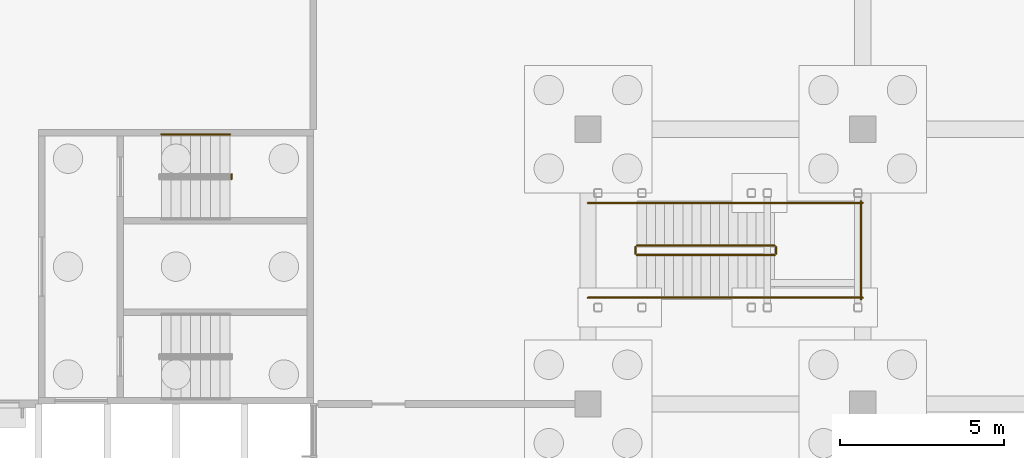
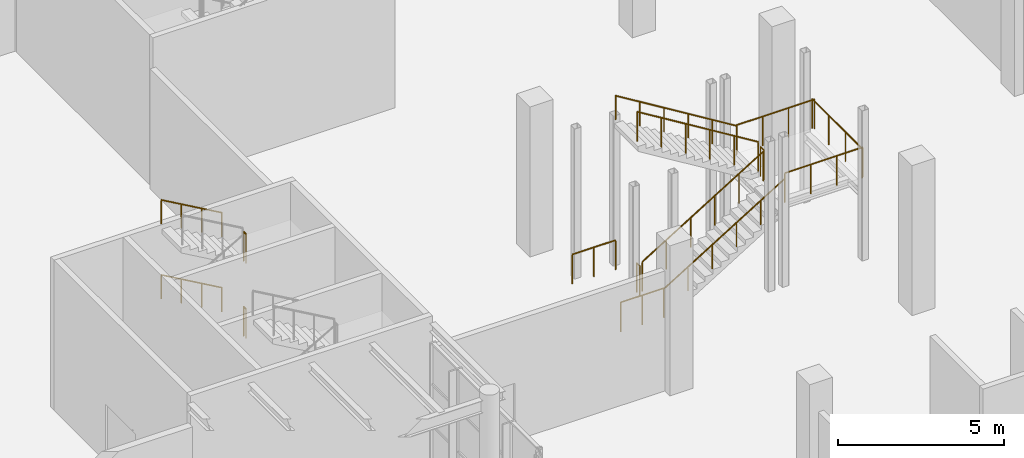
# One storey, part 71 of 82: 15 railings.
"""IFC4 building model written with IfcOpenShell, lengths in metres."""

from ifc_helpers import new_model, si_unit, direction, frame, origin, origin_2d, place, context, subcontext, project, spatial, circle, extrude, material, type_object, element, save


model = new_model("IFC4")

# Units and contexts
model_context = context("Model", 3, precision=1e-05, world=origin(), true_north=direction((0.0, 1.0)))
body_context = subcontext(model_context, "Body", "Model", "MODEL_VIEW")
ifc_project = project(units=[si_unit("LENGTHUNIT", "METRE"), si_unit("AREAUNIT", "SQUARE_METRE"), si_unit("VOLUMEUNIT", "CUBIC_METRE"), si_unit("PLANEANGLEUNIT", "RADIAN"), si_unit("MASSUNIT", "GRAM", prefix="KILO")], contexts=[model_context])

# Site, building, storey
site_placement = place(None, origin())
site = spatial("IfcSite", under=ifc_project, at=site_placement, CompositionType="ELEMENT")
building_placement = place(site_placement, origin())
building = spatial("IfcBuilding", under=site, at=building_placement, Name="Almond Square Museum", CompositionType="ELEMENT")
storey_placement = place(building_placement, origin())
storey = spatial("IfcBuildingStorey", under=building, at=storey_placement, Name="L00", CompositionType="ELEMENT", Elevation=0.0)

# Railings
ifc_material_1 = material(Name="Stainless steel and laminated glass", Category="steel")
railing_type_1 = type_object("IfcRailingType", Name="Stair guard 1100 steel and glass", PredefinedType="GUARDRAIL", material=ifc_material_1)
for number, where, name in (
    (1, (70.699951171875, 90.8798828125, 1.375), "L00 ST-20 stair guard 2"),
    (2, (70.699951171875, 90.8798828125, 4.125), "L00 ST-20 stair guard 6"),
):
    element("IfcRailing", number, at=place(storey_placement, frame(where)), inside=storey, type_object=railing_type_1, Name=name, PredefinedType="GUARDRAIL", context=body_context, shape_type="SweptSolid", body=[
        extrude(circle(Radius=0.02392578125, at=origin_2d()), frame((0.0, 0.0, 1.076171875), z_axis=(0.0, 1.0, 0.0), x_axis=(-1.0, 0.0, 0.0)), (0.0, 0.0, 1.0), 0.14013671875),
        extrude(circle(Radius=0.02099609375, at=origin_2d()), origin(), (0.0, 0.0, 1.0), 1.052001953125),
        extrude(circle(Radius=0.02099609375, at=origin_2d()), frame((0.0, 0.14013671875, 0.0)), (0.0, 0.0, 1.0), 1.052001953125),
    ])
railing_1_placement = place(storey_placement, frame((83.10009765625, 88.550048828125, 0.171875)))
element("IfcRailing", 3, at=railing_1_placement, inside=storey, type_object=railing_type_1, Name="L00 ST-F stair guard 1", PredefinedType="GUARDRAIL", context=body_context, shape_type="SweptSolid", body=[
    extrude(circle(Radius=0.02392578125, at=origin_2d()), frame((0.0, 0.0, 1.076171875), z_axis=(0.852242915053, 0.0, 0.523146264196), x_axis=(0.0, 1.0, 0.0)), (0.0, 0.0, 1.0), 4.92822265625),
    extrude(circle(Radius=0.02099609375, at=origin_2d()), origin(), (0.0, 0.0, 1.0), 1.052001953125),
    extrude(circle(Radius=0.02099609375, at=origin_2d()), frame((0.840087890625, 0.0, 0.515625)), (0.0, 0.0, 1.0), 1.052001953125),
    extrude(circle(Radius=0.02099609375, at=origin_2d()), frame((1.679931640625, 0.0, 1.03125)), (0.0, 0.0, 1.0), 1.052001953125),
    extrude(circle(Radius=0.02099609375, at=origin_2d()), frame((2.52001953125, 0.0, 1.546875)), (0.0, 0.0, 1.0), 1.052001953125),
    extrude(circle(Radius=0.02099609375, at=origin_2d()), frame((3.35986328125, 0.0, 2.0625)), (0.0, 0.0, 1.0), 1.052001953125),
    extrude(circle(Radius=0.02099609375, at=origin_2d()), frame((4.199951171875, 0.0, 2.578125)), (0.0, 0.0, 1.0), 1.052001953125),
])
railing_2_placement = place(storey_placement, frame((87.35009765625, 88.60009765625, 2.75)))
element("IfcRailing", 4, at=railing_2_placement, inside=storey, type_object=railing_type_1, Name="L00 ST-F stair guard 2", PredefinedType="GUARDRAIL", context=body_context, shape_type="SweptSolid", body=[
    extrude(circle(Radius=0.02392578125, at=origin_2d()), frame((0.0, 0.0, 1.076171875), z_axis=(0.0, 1.0, 0.0), x_axis=(-1.0, 0.0, 0.0)), (0.0, 0.0, 1.0), 0.199951171875),
    extrude(circle(Radius=0.02099609375, at=origin_2d()), origin(), (0.0, 0.0, 1.0), 1.052001953125),
    extrude(circle(Radius=0.02099609375, at=origin_2d()), frame((0.0, 0.199951171875, 0.0)), (0.0, 0.0, 1.0), 1.052001953125),
])
for number, where, name in (
    (5, (87.300048828125, 87.25, 2.75), "L00 ST-F stair guard 3"),
    (6, (87.300048828125, 90.14990234375, 2.75), "L00 ST-F stair guard 4"),
):
    element("IfcRailing", number, at=place(storey_placement, frame(where)), inside=storey, type_object=railing_type_1, Name=name, PredefinedType="GUARDRAIL", context=body_context, shape_type="SweptSolid", body=[
        extrude(circle(Radius=0.02392578125, at=origin_2d()), frame((0.0, 0.0, 1.076171875), z_axis=(1.0, 0.0, 0.0), x_axis=(0.0, 1.0, 0.0)), (0.0, 0.0, 1.0), 2.699951171875),
        extrude(circle(Radius=0.02099609375, at=origin_2d()), origin(), (0.0, 0.0, 1.0), 1.052001953125),
        extrude(circle(Radius=0.02099609375, at=origin_2d()), frame((0.89990234375, 0.0, 0.0)), (0.0, 0.0, 1.0), 1.052001953125),
        extrude(circle(Radius=0.02099609375, at=origin_2d()), frame((1.800048828125, 0.0, 0.0)), (0.0, 0.0, 1.0), 1.052001953125),
        extrude(circle(Radius=0.02099609375, at=origin_2d()), frame((2.699951171875, 0.0, 0.0)), (0.0, 0.0, 1.0), 1.052001953125),
    ])
railing_3_placement = place(storey_placement, frame((89.949951171875, 87.199951171875, 2.75)))
element("IfcRailing", 7, at=railing_3_placement, inside=storey, type_object=railing_type_1, Name="L00 ST-F stair guard 5", PredefinedType="GUARDRAIL", context=body_context, shape_type="SweptSolid", body=[
    extrude(circle(Radius=0.02392578125, at=origin_2d()), frame((0.0, 0.0, 1.076171875), z_axis=(0.0, 1.0, 0.0), x_axis=(-1.0, 0.0, 0.0)), (0.0, 0.0, 1.0), 3.0),
    extrude(circle(Radius=0.02099609375, at=origin_2d()), origin(), (0.0, 0.0, 1.0), 1.052001953125),
    extrude(circle(Radius=0.02099609375, at=origin_2d()), frame((0.0, 1.0, 0.0)), (0.0, 0.0, 1.0), 1.052001953125),
    extrude(circle(Radius=0.02099609375, at=origin_2d()), frame((0.0, 2.0, 0.0)), (0.0, 0.0, 1.0), 1.052001953125),
    extrude(circle(Radius=0.02099609375, at=origin_2d()), frame((0.0, 3.0, 0.0)), (0.0, 0.0, 1.0), 1.052001953125),
])
railing_4_placement = place(storey_placement, frame((87.300048828125, 88.85009765625, 2.921875)))
element("IfcRailing", 8, at=railing_4_placement, inside=storey, type_object=railing_type_1, Name="L00 ST-F stair guard 6", PredefinedType="GUARDRAIL", context=body_context, shape_type="SweptSolid", body=[
    extrude(circle(Radius=0.02392578125, at=origin_2d()), frame((0.0, 0.0, 1.076171875), z_axis=(-0.852242915053, 0.0, 0.523146264196), x_axis=(0.0, -1.0, 0.0)), (0.0, 0.0, 1.0), 4.92822265625),
    extrude(circle(Radius=0.02099609375, at=origin_2d()), origin(), (0.0, 0.0, 1.0), 1.052001953125),
    extrude(circle(Radius=0.02099609375, at=origin_2d()), frame((-0.840087890625, 0.0, 0.515625)), (0.0, 0.0, 1.0), 1.052001953125),
    extrude(circle(Radius=0.02099609375, at=origin_2d()), frame((-1.679931640625, 0.0, 1.03125)), (0.0, 0.0, 1.0), 1.052001953125),
    extrude(circle(Radius=0.02099609375, at=origin_2d()), frame((-2.52001953125, 0.0, 1.546875)), (0.0, 0.0, 1.0), 1.052001953125),
    extrude(circle(Radius=0.02099609375, at=origin_2d()), frame((-3.35986328125, 0.0, 2.0625)), (0.0, 0.0, 1.0), 1.052001953125),
    extrude(circle(Radius=0.02099609375, at=origin_2d()), frame((-4.199951171875, 0.0, 2.578125)), (0.0, 0.0, 1.0), 1.052001953125),
])
railing_5_placement = place(storey_placement, frame((83.050048828125, 88.60009765625, 0.0)))
element("IfcRailing", 9, at=railing_5_placement, inside=storey, type_object=railing_type_1, Name="L00 ST-F stair guard 7", PredefinedType="GUARDRAIL", context=body_context, shape_type="SweptSolid", body=[
    extrude(circle(Radius=0.02392578125, at=origin_2d()), frame((0.0, 0.0, 1.076171875), z_axis=(0.0, 1.0, 0.0), x_axis=(-1.0, 0.0, 0.0)), (0.0, 0.0, 1.0), 0.199951171875),
    extrude(circle(Radius=0.02099609375, at=origin_2d()), origin(), (0.0, 0.0, 1.0), 1.052001953125),
    extrude(circle(Radius=0.02099609375, at=origin_2d()), frame((0.0, 0.199951171875, 0.0)), (0.0, 0.0, 1.0), 1.052001953125),
])
for number, where, name in (
    (10, (81.60009765625, 87.25, 0.0), "L00 ST-F stair guard 8"),
    (11, (81.60009765625, 90.14990234375, 0.0), "L00 ST-F stair guard 9"),
):
    element("IfcRailing", number, at=place(storey_placement, frame(where)), inside=storey, type_object=railing_type_1, Name=name, PredefinedType="GUARDRAIL", context=body_context, shape_type="SweptSolid", body=[
        extrude(circle(Radius=0.02392578125, at=origin_2d()), frame((0.0, 0.0, 1.076171875), z_axis=(1.0, 0.0, 0.0), x_axis=(0.0, 1.0, 0.0)), (0.0, 0.0, 1.0), 1.5),
        extrude(circle(Radius=0.02099609375, at=origin_2d()), origin(), (0.0, 0.0, 1.0), 1.052001953125),
        extrude(circle(Radius=0.02099609375, at=origin_2d()), frame((0.75, 0.0, 0.0)), (0.0, 0.0, 1.0), 1.052001953125),
        extrude(circle(Radius=0.02099609375, at=origin_2d()), frame((1.5, 0.0, 0.0)), (0.0, 0.0, 1.0), 1.052001953125),
    ])
ifc_material_2 = material(Name="Stainless steel", Category="steel")
railing_type_2 = type_object("IfcRailingType", Name="Stair handrail 900 steel", PredefinedType="HANDRAIL", material=ifc_material_2)
for number, where, name in (
    (12, (70.64990234375, 92.2451171875, 1.546875), "L00 ST-20 stair handrail 2"),
    (13, (70.64990234375, 92.2451171875, 4.296875), "L00 ST-20 stair handrail 4"),
):
    element("IfcRailing", number, at=place(storey_placement, frame(where)), inside=storey, type_object=railing_type_2, Name=name, PredefinedType="HANDRAIL", context=body_context, shape_type="SweptSolid", body=[
        extrude(circle(Radius=0.02392578125, at=origin_2d()), frame((0.0, 0.0, 0.8759765625), z_axis=(-0.867671429157, 0.0, 0.497138100556), x_axis=(0.0, -1.0, 0.0)), (0.0, 0.0, 1.0), 2.420166015625),
        extrude(circle(Radius=0.02099609375, at=origin_2d()), origin(), (0.0, 0.0, 1.0), 0.851806640625),
        extrude(circle(Radius=0.02099609375, at=origin_2d()), frame((-0.699951171875, 0.0, 0.401123046875)), (0.0, 0.0, 1.0), 0.851806640625),
        extrude(circle(Radius=0.02099609375, at=origin_2d()), frame((-1.39990234375, 0.0, 0.802001953125)), (0.0, 0.0, 1.0), 0.851806640625),
        extrude(circle(Radius=0.02099609375, at=origin_2d()), frame((-2.099853515625, 0.0, 1.203125)), (0.0, 0.0, 1.0), 0.851806640625),
    ])
railing_6_placement = place(storey_placement, frame((83.10009765625, 87.25, 0.171875)))
element("IfcRailing", 14, at=railing_6_placement, inside=storey, type_object=railing_type_2, Name="L00 ST-F stair handrail 1", PredefinedType="HANDRAIL", context=body_context, shape_type="SweptSolid", body=[
    extrude(circle(Radius=0.02392578125, at=origin_2d()), frame((0.0, 0.0, 0.8759765625), z_axis=(0.852242915053, 0.0, 0.523146264196), x_axis=(0.0, 1.0, 0.0)), (0.0, 0.0, 1.0), 4.92822265625),
    extrude(circle(Radius=0.02099609375, at=origin_2d()), origin(), (0.0, 0.0, 1.0), 0.851806640625),
    extrude(circle(Radius=0.02099609375, at=origin_2d()), frame((0.840087890625, 0.0, 0.515625)), (0.0, 0.0, 1.0), 0.851806640625),
    extrude(circle(Radius=0.02099609375, at=origin_2d()), frame((1.679931640625, 0.0, 1.03125)), (0.0, 0.0, 1.0), 0.851806640625),
    extrude(circle(Radius=0.02099609375, at=origin_2d()), frame((2.52001953125, 0.0, 1.546875)), (0.0, 0.0, 1.0), 0.851806640625),
    extrude(circle(Radius=0.02099609375, at=origin_2d()), frame((3.35986328125, 0.0, 2.0625)), (0.0, 0.0, 1.0), 0.851806640625),
    extrude(circle(Radius=0.02099609375, at=origin_2d()), frame((4.199951171875, 0.0, 2.578125)), (0.0, 0.0, 1.0), 0.851806640625),
])
railing_7_placement = place(storey_placement, frame((87.300048828125, 90.14990234375, 2.921875)))
element("IfcRailing", 15, at=railing_7_placement, inside=storey, type_object=railing_type_2, Name="L00 ST-F stair handrail 2", PredefinedType="HANDRAIL", context=body_context, shape_type="SweptSolid", body=[
    extrude(circle(Radius=0.02392578125, at=origin_2d()), frame((0.0, 0.0, 0.8759765625), z_axis=(-0.852242915053, 0.0, 0.523146264196), x_axis=(0.0, -1.0, 0.0)), (0.0, 0.0, 1.0), 4.92822265625),
    extrude(circle(Radius=0.02099609375, at=origin_2d()), origin(), (0.0, 0.0, 1.0), 0.851806640625),
    extrude(circle(Radius=0.02099609375, at=origin_2d()), frame((-0.840087890625, 0.0, 0.515625)), (0.0, 0.0, 1.0), 0.851806640625),
    extrude(circle(Radius=0.02099609375, at=origin_2d()), frame((-1.679931640625, 0.0, 1.03125)), (0.0, 0.0, 1.0), 0.851806640625),
    extrude(circle(Radius=0.02099609375, at=origin_2d()), frame((-2.52001953125, 0.0, 1.546875)), (0.0, 0.0, 1.0), 0.851806640625),
    extrude(circle(Radius=0.02099609375, at=origin_2d()), frame((-3.35986328125, 0.0, 2.0625)), (0.0, 0.0, 1.0), 0.851806640625),
    extrude(circle(Radius=0.02099609375, at=origin_2d()), frame((-4.199951171875, 0.0, 2.578125)), (0.0, 0.0, 1.0), 0.851806640625),
])

save(model, "model.ifc")
